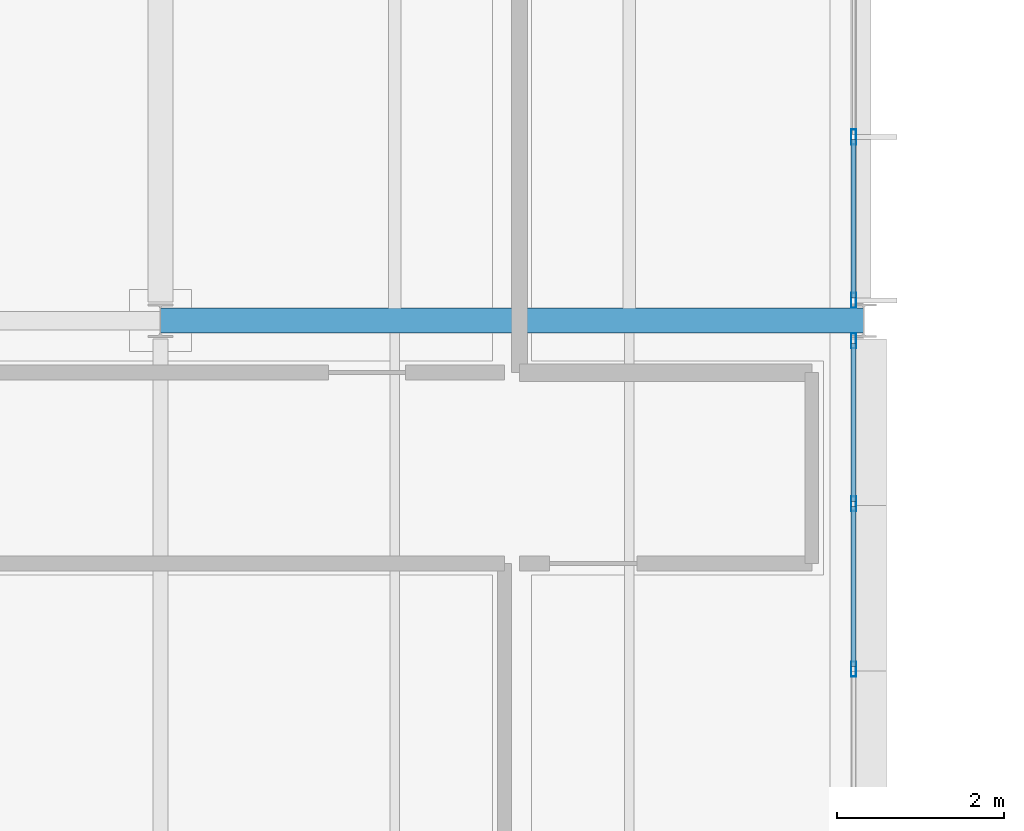
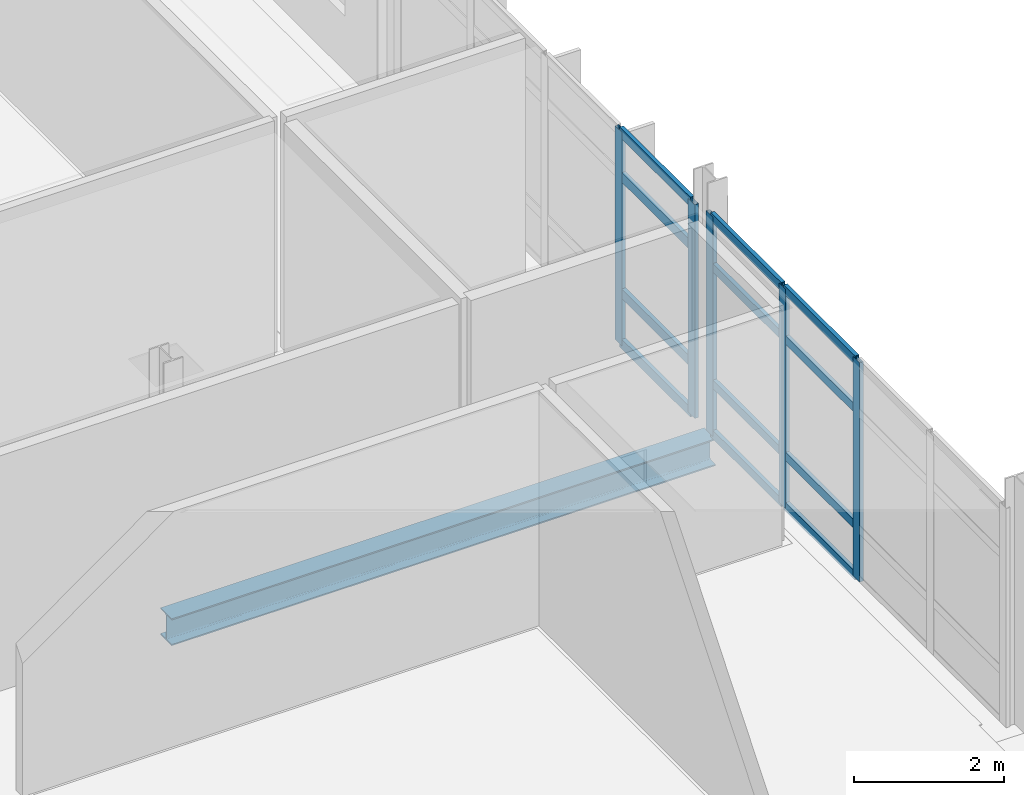
# One storey, part 77 of 151: 17 members, 1 beam, 2 elements without a shape of their own.
"""IFC4 building model written with IfcOpenShell, lengths in metres."""

import ifcopenshell
import ifcopenshell.guid

model = None  # the IFC model being written
_history = None  # IfcOwnerHistory: only IFC2X3 demands one
_inside = {}  # id of a spatial element -> (the spatial element, [elements in it])
_under = {}  # id of a project, library or spatial element -> (it, [spatial elements below it])
_declared = {}  # id of a project -> (the project, [libraries it declares])
_typed = {}  # id of a type object -> (the type object, [elements of that type])
_made_of = {}  # id of a material, layer set ... -> (it, [elements and type objects made of it])


def new_model(schema):
    """Start an empty IFC model of exactly this schema.

    Asked for "IFC4X3", IfcOpenShell would pick the latest addendum, in which some entities
    have other attributes; the version numbers below select the first issue.
    IFC2X3 requires an IfcOwnerHistory on every rooted entity: one is made here for all.
    """
    global model, _history
    if schema == "IFC4X3":
        model = ifcopenshell.file(schema_version=(4, 3, 0, 0))
    else:
        model = ifcopenshell.file(schema=schema)
    _inside.clear()
    _under.clear()
    _declared.clear()
    _typed.clear()
    _made_of.clear()
    _history = None
    if model.schema == "IFC2X3":
        org = make("IfcOrganization", Name="unknown")
        user = make(
            "IfcPersonAndOrganization",
            ThePerson=make("IfcPerson", FamilyName="unknown"),
            TheOrganization=org,
        )
        app = make(
            "IfcApplication",
            ApplicationDeveloper=org,
            Version="unknown",
            ApplicationFullName="unknown",
            ApplicationIdentifier="unknown",
        )
        _history = make(
            "IfcOwnerHistory",
            OwningUser=user,
            OwningApplication=app,
            ChangeAction="ADDED",
            CreationDate=0,
        )
    return model


def make(cls, **values):
    """One entity of the class cls with the attributes given. An attribute that is None is left unset."""
    return model.create_entity(
        cls, **{name: value for name, value in values.items() if value is not None}
    )


def rooted(cls, **values):
    """An entity with a GlobalId (a new one), such as an element, a storey or a relation."""
    return make(cls, GlobalId=ifcopenshell.guid.new(), OwnerHistory=_history, **values)


def si_unit(unit_type, name, prefix=None):
    """IfcSIUnit, for example si_unit("LENGTHUNIT", "METRE", prefix="MILLI")."""
    return make("IfcSIUnit", UnitType=unit_type, Prefix=prefix, Name=name)


def assignment(units):
    """IfcUnitAssignment: the units of a project."""
    return None if units is None else make("IfcUnitAssignment", Units=units)


def point(xyz):
    """IfcCartesianPoint."""
    return None if xyz is None else make("IfcCartesianPoint", Coordinates=xyz)


def direction(xyz):
    """IfcDirection."""
    return None if xyz is None else make("IfcDirection", DirectionRatios=xyz)


def frame(location, z_axis=None, x_axis=None):
    """IfcAxis2Placement3D, a coordinate frame: its origin and axes. An axis left out is left unset."""
    return make(
        "IfcAxis2Placement3D",
        Location=point(location),
        Axis=direction(z_axis),
        RefDirection=direction(x_axis),
    )


def frame_2d(location, x_axis=None):
    """IfcAxis2Placement2D, a coordinate frame in the plane: its origin and x axis."""
    return make(
        "IfcAxis2Placement2D", Location=point(location), RefDirection=direction(x_axis)
    )


def origin():
    """The frame at (0, 0, 0) with its axes left unset."""
    return frame((0.0, 0.0, 0.0))


def origin_2d():
    """The frame at (0, 0) in the plane with its x axis left unset."""
    return frame_2d((0.0, 0.0))


def place(relative_to, where):
    """IfcLocalPlacement: puts the frame where relative to a parent placement (None: the world)."""
    return make(
        "IfcLocalPlacement", PlacementRelTo=relative_to, RelativePlacement=where
    )


def context(
    kind, dimensions, precision=None, world=None, true_north=None, identifier=None
):
    """IfcGeometricRepresentationContext, for example the 3D "Model" context."""
    return make(
        "IfcGeometricRepresentationContext",
        ContextIdentifier=identifier,
        ContextType=kind,
        CoordinateSpaceDimension=dimensions,
        Precision=precision,
        WorldCoordinateSystem=world,
        TrueNorth=true_north,
    )


def subcontext(parent, identifier, kind, view, scale=None):
    """IfcGeometricRepresentationSubContext, for example "Body" below "Model"."""
    return make(
        "IfcGeometricRepresentationSubContext",
        ContextIdentifier=identifier,
        ContextType=kind,
        ParentContext=parent,
        TargetScale=scale,
        TargetView=view,
    )


def project(units=None, contexts=None):
    """IfcProject with its units and contexts."""
    return rooted(
        "IfcProject",
        Name="project",
        RepresentationContexts=contexts,
        UnitsInContext=assignment(units),
    )


def spatial(cls, under=None, at=None, **own):
    """A site, building, storey or space (cls), placed at a placement, below another one or the project."""
    s = rooted(cls, ObjectPlacement=at, **own)
    if under is not None:
        _under.setdefault(under.id(), (under, []))[1].append(s)
    return s


def profile(cls, at=None, kind="AREA", **sizes):
    """A parametric profile (cls). Its sizes go by their IFC names, for example OverallWidth=200.0."""
    return make(cls, ProfileType=kind, Position=at, **sizes)


def hollow_rectangle(**sizes):
    """IfcRectangleHollowProfileDef."""
    return profile("IfcRectangleHollowProfileDef", **sizes)


def i_section(**sizes):
    """IfcIShapeProfileDef."""
    return profile("IfcIShapeProfileDef", **sizes)


def extrude(swept, where, along, depth):
    """IfcExtrudedAreaSolid: the profile swept, set in the frame where, extruded along a direction by depth."""
    return make(
        "IfcExtrudedAreaSolid",
        SweptArea=swept,
        Position=where,
        ExtrudedDirection=direction(along),
        Depth=depth,
    )


def shape(context_of_items, identifier, shape_type, items):
    """IfcShapeRepresentation: the items that make up one representation, for example the "Body"."""
    return make(
        "IfcShapeRepresentation",
        ContextOfItems=context_of_items,
        RepresentationIdentifier=identifier,
        RepresentationType=shape_type,
        Items=items,
    )


def material(Name=None, Category=None):
    """IfcMaterial."""
    return make("IfcMaterial", Name=Name, Category=Category)


def material_profile(
    of_material, cross_section, Name=None, Category=None, Priority=None
):
    """IfcMaterialProfile: a cross section and its material."""
    return make(
        "IfcMaterialProfile",
        Name=Name,
        Material=of_material,
        Profile=cross_section,
        Priority=Priority,
        Category=Category,
    )


def profile_set(profiles, Name=None, composite=None):
    """IfcMaterialProfileSet."""
    return make(
        "IfcMaterialProfileSet",
        Name=Name,
        MaterialProfiles=profiles,
        CompositeProfile=composite,
    )


def made_of(thing, what):
    """Note that an element or type object is made of a material, layer set ...; save() writes the relation."""
    if what is not None:
        _made_of.setdefault(what.id(), (what, []))[1].append(thing)
    return thing


def type_object(cls, material=None, **own):
    """A type object (cls), such as IfcWallType, which elements share."""
    return made_of(rooted(cls, **own), material)


def element(
    cls,
    number,
    at=None,
    inside=None,
    cuts=None,
    type_object=None,
    material=None,
    context=None,
    identifier="Body",
    shape_type=None,
    held_by="IfcProductDefinitionShape",
    body=None,
    shapes=None,
    **own,
):
    """One element of the class cls, such as IfcWall. Its Tag is "e" and its number.

    at: its placement. inside: the storey or other place that contains it. cuts: it is an
    opening in that element (IfcRelVoidsElement). A single representation is given by context,
    identifier, shape_type and body (its items); several are given by shapes. held_by: the class
    of the entity that holds the representations. save() writes the other relations.
    """
    e = rooted(cls, Tag="e%d" % number, ObjectPlacement=at, **own)
    if body is not None:
        shapes = [shape(context, identifier, shape_type, body)]
    if shapes is not None:
        e.Representation = make(held_by, Representations=shapes)
    if inside is not None:
        _inside.setdefault(inside.id(), (inside, []))[1].append(e)
    if cuts is not None:
        rooted(
            "IfcRelVoidsElement", RelatingBuildingElement=cuts, RelatedOpeningElement=e
        )
    if type_object is not None:
        _typed.setdefault(type_object.id(), (type_object, []))[1].append(e)
    return made_of(e, material)


def aggregate(whole, parts):
    """IfcRelAggregates: a whole, such as a stair, and the parts it consists of."""
    return rooted("IfcRelAggregates", RelatingObject=whole, RelatedObjects=parts)


def save(model, path):
    """Write the relations noted so far, then the file.

    IfcRelAggregates (storeys below a building ...), IfcRelContainedInSpatialStructure (elements
    in a storey), IfcRelDefinesByType, IfcRelAssociatesMaterial and IfcRelDeclares: one each for
    every whole, place, type object, material and project.
    """
    for whole, parts in _under.values():
        aggregate(whole, parts)
    for where, things in _inside.values():
        rooted(
            "IfcRelContainedInSpatialStructure",
            RelatedElements=things,
            RelatingStructure=where,
        )
    for kind, things in _typed.values():
        rooted("IfcRelDefinesByType", RelatedObjects=things, RelatingType=kind)
    for what, things in _made_of.values():
        rooted("IfcRelAssociatesMaterial", RelatedObjects=things, RelatingMaterial=what)
    for by, libraries in _declared.values():
        rooted("IfcRelDeclares", RelatingContext=by, RelatedDefinitions=libraries)
    model.write(path)


model = new_model("IFC4")

# Units and contexts
model_context = context("Model", 3, precision=1e-05, world=origin(), true_north=direction((0.0, 1.0)))
body_context = subcontext(model_context, "Body", "Model", "MODEL_VIEW")
ifc_project = project(units=[si_unit("LENGTHUNIT", "METRE"), si_unit("AREAUNIT", "SQUARE_METRE"), si_unit("VOLUMEUNIT", "CUBIC_METRE"), si_unit("PLANEANGLEUNIT", "RADIAN"), si_unit("MASSUNIT", "GRAM", prefix="KILO")], contexts=[model_context])

# Site, building, storey
site_placement = place(None, origin())
site = spatial("IfcSite", under=ifc_project, at=site_placement, CompositionType="ELEMENT")
building_placement = place(site_placement, origin())
building = spatial("IfcBuilding", under=site, at=building_placement, Name="Mersafa Astral City Hall", CompositionType="ELEMENT")
storey_placement = place(building_placement, frame((0.0, 0.0, 9.89990234375)))
storey = spatial("IfcBuildingStorey", under=building, at=storey_placement, Name="L02", CompositionType="ELEMENT", Elevation=9.89990234375)

# Curtain wall, members
ifc_material_1 = material(Name="Anodised bronze aluminium framing", Category="aluminium")
curtain_wall_type_1 = type_object("IfcCurtainWallType", Name="ENV-CW-2", PredefinedType="USERDEFINED", material=ifc_material_1)
curtain_wall_1_placement = place(storey_placement, origin())
curtain_wall_1 = element("IfcCurtainWall", 1, at=curtain_wall_1_placement, inside=storey, type_object=curtain_wall_type_1, Name="L02 Unitised solar curtain wall 115", ObjectType="UNITISED CURTAIN WALL", PredefinedType="USERDEFINED")
ifc_material_profile_1 = material_profile(ifc_material_1, hollow_rectangle(XDim=0.06005859375, YDim=0.179931640625, WallThickness=0.00390625, at=origin_2d()), Name="RHS 60x180x4")
ifc_profile_set_1 = profile_set([ifc_material_profile_1], Name="Anodised bronze aluminium framing")
member_type_1 = type_object("IfcMemberType", Name="ENV-CW-MUL-1", PredefinedType="MULLION", material=ifc_profile_set_1)
member_1_placement = place(storey_placement, frame((117.47998046875, 96.637451171875, -0.001953125), z_axis=(0.0, 0.0, 1.0), x_axis=(-1.0, 0.0, 0.0)))
member_1 = element("IfcMember", 2, at=member_1_placement, type_object=member_type_1, Name="CW-2 mullion 3", PredefinedType="MULLION", context=body_context, shape_type="SweptSolid", body=[
    extrude(hollow_rectangle(XDim=0.06005859375, YDim=0.179931640625, WallThickness=0.00390625, at=origin_2d()), origin(), (0.0, 0.0, 1.0), 3.5791015625),
])
member_2_placement = place(storey_placement, frame((117.47998046875, 98.61279296875, -0.001953125), z_axis=(0.0, 0.0, 1.0), x_axis=(-1.0, 0.0, 0.0)))
member_2 = element("IfcMember", 3, at=member_2_placement, type_object=member_type_1, Name="CW-2 mullion 4", PredefinedType="MULLION", context=body_context, shape_type="SweptSolid", body=[
    extrude(hollow_rectangle(XDim=0.06005859375, YDim=0.179931640625, WallThickness=0.00390625, at=origin_2d()), origin(), (0.0, 0.0, 1.0), 3.5791015625),
])
member_3_placement = place(storey_placement, frame((117.47998046875, 100.55810546875, -0.001953125), z_axis=(0.0, 0.0, 1.0), x_axis=(-1.0, 0.0, 0.0)))
member_3 = element("IfcMember", 4, at=member_3_placement, type_object=member_type_1, Name="CW-2 mullion 5", PredefinedType="MULLION", context=body_context, shape_type="SweptSolid", body=[
    extrude(hollow_rectangle(XDim=0.06005859375, YDim=0.179931640625, WallThickness=0.00390625, at=origin_2d()), origin(), (0.0, 0.0, 1.0), 3.5791015625),
])

curtain_wall_type_2 = type_object("IfcCurtainWallType", Name="ENV-CW-3", PredefinedType="USERDEFINED", material=ifc_material_1)
curtain_wall_2_placement = place(storey_placement, origin())
curtain_wall_2 = element("IfcCurtainWall", 5, at=curtain_wall_2_placement, inside=storey, type_object=curtain_wall_type_2, Name="L02 Unitised solar curtain wall 116", ObjectType="UNITISED CURTAIN WALL", PredefinedType="USERDEFINED")
member_4_placement = place(storey_placement, frame((117.47998046875, 101.0419921875, -0.001953125), z_axis=(0.0, 0.0, 1.0), x_axis=(-1.0, 0.0, 0.0)))
member_4 = element("IfcMember", 6, at=member_4_placement, type_object=member_type_1, Name="CW-3 mullion 1", PredefinedType="MULLION", context=body_context, shape_type="SweptSolid", body=[
    extrude(hollow_rectangle(XDim=0.06005859375, YDim=0.179931640625, WallThickness=0.00390625, at=origin_2d()), origin(), (0.0, 0.0, 1.0), 3.489013671875),
])
member_5_placement = place(storey_placement, frame((117.47998046875, 102.993408203125, -0.001953125), z_axis=(0.0, 0.0, 1.0), x_axis=(-1.0, 0.0, 0.0)))
member_5 = element("IfcMember", 7, at=member_5_placement, type_object=member_type_1, Name="CW-3 mullion 2", PredefinedType="MULLION", context=body_context, shape_type="SweptSolid", body=[
    extrude(hollow_rectangle(XDim=0.06005859375, YDim=0.179931640625, WallThickness=0.00390625, at=origin_2d()), origin(), (0.0, 0.0, 1.0), 3.489013671875),
])

# Member
ifc_material_profile_2 = material_profile(ifc_material_1, hollow_rectangle(XDim=0.06005859375, YDim=0.139892578125, WallThickness=0.00390625, at=origin_2d()), Name="RHS 60x140x4")
ifc_profile_set_2 = profile_set([ifc_material_profile_2], Name="Anodised bronze aluminium framing")
member_type_2 = type_object("IfcMemberType", Name="ENV-CW-TRN-1", PredefinedType="USERDEFINED", material=ifc_profile_set_2)
member_6_placement = place(storey_placement, frame((117.47998046875, 96.66748046875, 0.028076171875), z_axis=(0.0, 1.0, 0.0), x_axis=(-1.0, 0.0, 0.0)))
member_6 = element("IfcMember", 8, at=member_6_placement, type_object=member_type_2, Name="CW-2 transom 3.1", ObjectType="TRANSOM", PredefinedType="USERDEFINED", context=body_context, shape_type="SweptSolid", body=[
    extrude(hollow_rectangle(XDim=0.06005859375, YDim=0.139892578125, WallThickness=0.00390625, at=origin_2d()), origin(), (0.0, 0.0, 1.0), 1.915283203125),
])

member_7_placement = place(storey_placement, frame((117.47998046875, 96.66748046875, 0.85009765625), z_axis=(0.0, 1.0, 0.0), x_axis=(-1.0, 0.0, 0.0)))
member_7 = element("IfcMember", 9, at=member_7_placement, type_object=member_type_2, Name="CW-2 transom 3.2", ObjectType="TRANSOM", PredefinedType="USERDEFINED", context=body_context, shape_type="SweptSolid", body=[
    extrude(hollow_rectangle(XDim=0.06005859375, YDim=0.139892578125, WallThickness=0.00390625, at=origin_2d()), origin(), (0.0, 0.0, 1.0), 1.915283203125),
])

member_8_placement = place(storey_placement, frame((117.47998046875, 96.66748046875, 2.75), z_axis=(0.0, 1.0, 0.0), x_axis=(-1.0, 0.0, 0.0)))
member_8 = element("IfcMember", 10, at=member_8_placement, type_object=member_type_2, Name="CW-2 transom 3.3", ObjectType="TRANSOM", PredefinedType="USERDEFINED", context=body_context, shape_type="SweptSolid", body=[
    extrude(hollow_rectangle(XDim=0.06005859375, YDim=0.139892578125, WallThickness=0.00390625, at=origin_2d()), origin(), (0.0, 0.0, 1.0), 1.915283203125),
])

member_9_placement = place(storey_placement, frame((117.47998046875, 96.66748046875, 3.547119140625), z_axis=(0.0, 1.0, 0.0), x_axis=(-1.0, 0.0, 0.0)))
member_9 = element("IfcMember", 11, at=member_9_placement, type_object=member_type_2, Name="CW-2 transom 3.4", ObjectType="TRANSOM", PredefinedType="USERDEFINED", context=body_context, shape_type="SweptSolid", body=[
    extrude(hollow_rectangle(XDim=0.06005859375, YDim=0.139892578125, WallThickness=0.00390625, at=origin_2d()), origin(), (0.0, 0.0, 1.0), 1.915283203125),
])

member_10_placement = place(storey_placement, frame((117.47998046875, 98.642822265625, 0.028076171875), z_axis=(0.0, 1.0, 0.0), x_axis=(-1.0, 0.0, 0.0)))
member_10 = element("IfcMember", 12, at=member_10_placement, type_object=member_type_2, Name="CW-2 transom 4.1", ObjectType="TRANSOM", PredefinedType="USERDEFINED", context=body_context, shape_type="SweptSolid", body=[
    extrude(hollow_rectangle(XDim=0.06005859375, YDim=0.139892578125, WallThickness=0.00390625, at=origin_2d()), origin(), (0.0, 0.0, 1.0), 1.88525390625),
])

member_11_placement = place(storey_placement, frame((117.47998046875, 98.642822265625, 0.85009765625), z_axis=(0.0, 1.0, 0.0), x_axis=(-1.0, 0.0, 0.0)))
member_11 = element("IfcMember", 13, at=member_11_placement, type_object=member_type_2, Name="CW-2 transom 4.2", ObjectType="TRANSOM", PredefinedType="USERDEFINED", context=body_context, shape_type="SweptSolid", body=[
    extrude(hollow_rectangle(XDim=0.06005859375, YDim=0.139892578125, WallThickness=0.00390625, at=origin_2d()), origin(), (0.0, 0.0, 1.0), 1.88525390625),
])

member_12_placement = place(storey_placement, frame((117.47998046875, 98.642822265625, 2.75), z_axis=(0.0, 1.0, 0.0), x_axis=(-1.0, 0.0, 0.0)))
member_12 = element("IfcMember", 14, at=member_12_placement, type_object=member_type_2, Name="CW-2 transom 4.3", ObjectType="TRANSOM", PredefinedType="USERDEFINED", context=body_context, shape_type="SweptSolid", body=[
    extrude(hollow_rectangle(XDim=0.06005859375, YDim=0.139892578125, WallThickness=0.00390625, at=origin_2d()), origin(), (0.0, 0.0, 1.0), 1.88525390625),
])

member_13_placement = place(storey_placement, frame((117.47998046875, 98.642822265625, 3.547119140625), z_axis=(0.0, 1.0, 0.0), x_axis=(-1.0, 0.0, 0.0)))
member_13 = element("IfcMember", 15, at=member_13_placement, type_object=member_type_2, Name="CW-2 transom 4.4", ObjectType="TRANSOM", PredefinedType="USERDEFINED", context=body_context, shape_type="SweptSolid", body=[
    extrude(hollow_rectangle(XDim=0.06005859375, YDim=0.139892578125, WallThickness=0.00390625, at=origin_2d()), origin(), (0.0, 0.0, 1.0), 1.88525390625),
])

aggregate(curtain_wall_1, [member_1, member_2, member_3, member_6, member_7, member_8, member_9, member_10, member_11, member_12, member_13])

ifc_material_profile_3 = material_profile(ifc_material_1, hollow_rectangle(XDim=0.06005859375, YDim=0.159912109375, WallThickness=0.00390625, at=origin_2d()), Name="RHS 60x160x4")
ifc_profile_set_3 = profile_set([ifc_material_profile_3], Name="Anodised bronze aluminium framing")
member_type_3 = type_object("IfcMemberType", Name="ENV-CW-TRN-2", PredefinedType="USERDEFINED", material=ifc_profile_set_3)
member_14_placement = place(storey_placement, frame((117.47998046875, 101.072021484375, 0.028076171875), z_axis=(0.0, 1.0, 0.0), x_axis=(-1.0, 0.0, 0.0)))
member_14 = element("IfcMember", 16, at=member_14_placement, type_object=member_type_3, Name="CW-3 transom 1.1", ObjectType="TRANSOM", PredefinedType="USERDEFINED", context=body_context, shape_type="SweptSolid", body=[
    extrude(hollow_rectangle(XDim=0.06005859375, YDim=0.159912109375, WallThickness=0.00390625, at=origin_2d()), origin(), (0.0, 0.0, 1.0), 1.891357421875),
])

member_15_placement = place(storey_placement, frame((117.47998046875, 101.072021484375, 0.85009765625), z_axis=(0.0, 1.0, 0.0), x_axis=(-1.0, 0.0, 0.0)))
member_15 = element("IfcMember", 17, at=member_15_placement, type_object=member_type_3, Name="CW-3 transom 1.2", ObjectType="TRANSOM", PredefinedType="USERDEFINED", context=body_context, shape_type="SweptSolid", body=[
    extrude(hollow_rectangle(XDim=0.06005859375, YDim=0.159912109375, WallThickness=0.00390625, at=origin_2d()), origin(), (0.0, 0.0, 1.0), 1.891357421875),
])

member_16_placement = place(storey_placement, frame((117.47998046875, 101.072021484375, 2.75), z_axis=(0.0, 1.0, 0.0), x_axis=(-1.0, 0.0, 0.0)))
member_16 = element("IfcMember", 18, at=member_16_placement, type_object=member_type_3, Name="CW-3 transom 1.3", ObjectType="TRANSOM", PredefinedType="USERDEFINED", context=body_context, shape_type="SweptSolid", body=[
    extrude(hollow_rectangle(XDim=0.06005859375, YDim=0.159912109375, WallThickness=0.00390625, at=origin_2d()), origin(), (0.0, 0.0, 1.0), 1.891357421875),
])

member_17_placement = place(storey_placement, frame((117.47998046875, 101.072021484375, 3.45703125), z_axis=(0.0, 1.0, 0.0), x_axis=(-1.0, 0.0, 0.0)))
member_17 = element("IfcMember", 19, at=member_17_placement, type_object=member_type_3, Name="CW-3 transom 1.4", ObjectType="TRANSOM", PredefinedType="USERDEFINED", context=body_context, shape_type="SweptSolid", body=[
    extrude(hollow_rectangle(XDim=0.06005859375, YDim=0.159912109375, WallThickness=0.00390625, at=origin_2d()), origin(), (0.0, 0.0, 1.0), 1.891357421875),
])

aggregate(curtain_wall_2, [member_4, member_5, member_14, member_15, member_16, member_17])

# Beam
ifc_material_2 = material(Name="Steel S355", Category="steel")
ifc_material_profile_4 = material_profile(ifc_material_2, i_section(OverallWidth=0.300048828125, OverallDepth=0.43994140625, WebThickness=0.011474609375, FlangeThickness=0.02099609375, FilletRadius=0.027099609375, at=origin_2d()), Name="HEA 450")
ifc_profile_set_4 = profile_set([ifc_material_profile_4], Name="Steel S355")
beam_type = type_object("IfcBeamType", Name="STR-BM-HEA450", PredefinedType="BEAM", material=ifc_profile_set_4)
beam_placement = place(storey_placement, frame((109.202880859375, 100.800048828125, -0.419921875), z_axis=(1.0, 0.0, 0.0), x_axis=(0.0, 1.0, 0.0)))
element("IfcBeam", 20, at=beam_placement, inside=storey, type_object=beam_type, Name="L02 Primary girder X 13-12", PredefinedType="BEAM", context=body_context, shape_type="SweptSolid", body=[
    extrude(i_section(OverallWidth=0.300048828125, OverallDepth=0.43994140625, WebThickness=0.011474609375, FlangeThickness=0.02099609375, FilletRadius=0.027099609375, at=origin_2d()), origin(), (0.0, 0.0, 1.0), 8.39404296875),
])

save(model, "model.ifc")
